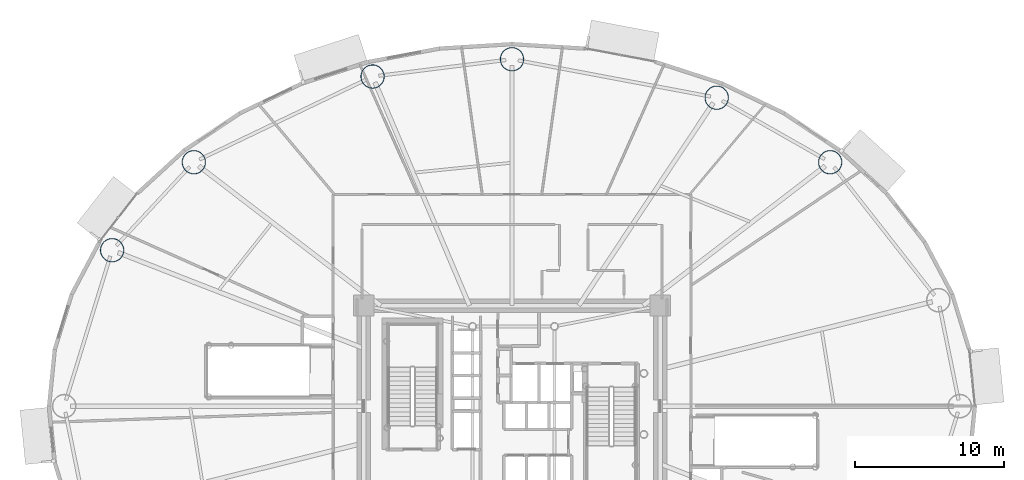
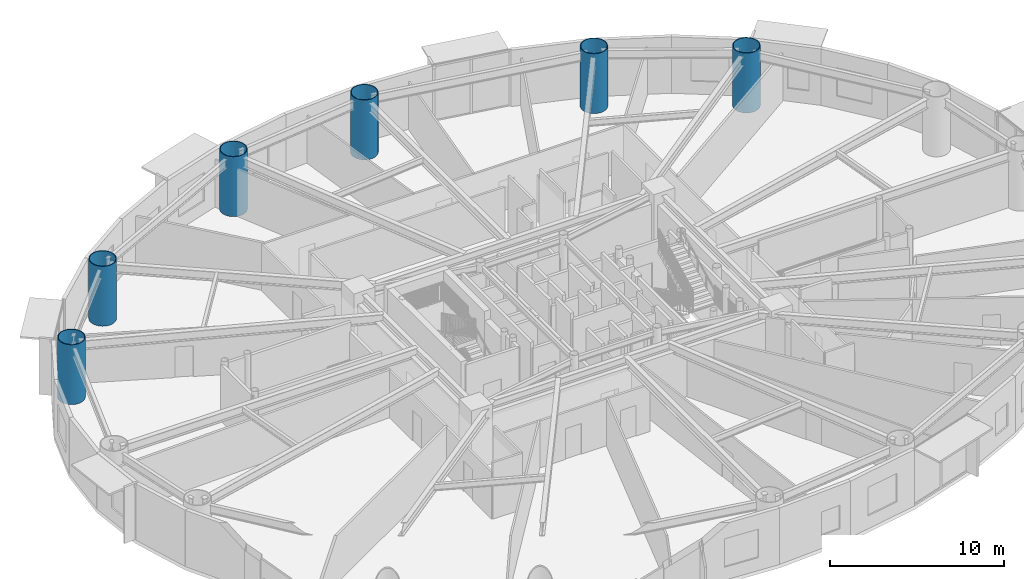
# One storey, part 3 of 28: 6 columns.
"""IFC4 building model written with IfcOpenShell, lengths in metres."""

from ifc_helpers import new_model, si_unit, direction, frame, origin, origin_2d, place, context, subcontext, project, spatial, hollow_circle, extrude, material, material_profile, profile_set, type_object, element, save


model = new_model("IFC4")

# Units and contexts
model_context = context("Model", 3, precision=1e-05, world=origin(), true_north=direction((0.0, 1.0)))
body_context = subcontext(model_context, "Body", "Model", "MODEL_VIEW")
ifc_project = project(units=[si_unit("LENGTHUNIT", "METRE"), si_unit("AREAUNIT", "SQUARE_METRE"), si_unit("VOLUMEUNIT", "CUBIC_METRE"), si_unit("PLANEANGLEUNIT", "RADIAN"), si_unit("MASSUNIT", "GRAM", prefix="KILO")], contexts=[model_context])

# Site, building, storey
site_placement = place(None, origin())
site = spatial("IfcSite", under=ifc_project, at=site_placement, CompositionType="ELEMENT")
building_placement = place(site_placement, origin())
building = spatial("IfcBuilding", under=site, at=building_placement, Name="Linh Dai School and Residence Tower", CompositionType="ELEMENT")
storey_placement = place(building_placement, frame((0.0, 0.0, 57.60009765625)))
storey = spatial("IfcBuildingStorey", under=building, at=storey_placement, Name="L13", CompositionType="ELEMENT", Elevation=57.60009765625)

# Columns
ifc_material = material(Name="Structural Steel S355JR", Category="steel")
ifc_material_profile = material_profile(ifc_material, hollow_circle(Radius=0.800048828125, WallThickness=0.044921875, at=origin_2d()), Name="CHS 1600x45")
ifc_profile_set = profile_set([ifc_material_profile], Name="Structural Steel S355JR")
column_type = type_object("IfcColumnType", Name="COL-MC2", PredefinedType="COLUMN", material=ifc_profile_set)
for number, where, z_axis, x_axis, name in (
    (1, (57.352783203125, 43.369140625, 0.0), (0.0, 0.0, 1.0), (1.0, 0.0, 0.0), "L13 Perimeter CFT Mega-Column MC03"),
    (2, (49.73828125, 47.69921875, 0.0), (0.0, 0.0, 1.0), (1.0, 0.0, 0.0), "L13 Perimeter CFT Mega-Column MC04"),
    (3, (36.0, 50.280029296875, 0.0), (0.0, 0.0, 1.0), (1.0, 0.0, 0.0), "L13 Perimeter CFT Mega-Column MC05"),
    (4, (26.642333984375, 49.119873046875, 0.0), (0.0, 0.0, 1.0), (1.0, 0.0, 0.0), "L13 Perimeter CFT Mega-Column MC06"),
    (5, (14.647216796875, 43.369140625, 0.0), (0.0, 0.0, 1.0), (1.0, 0.0, 0.0), "L13 Perimeter CFT Mega-Column MC07"),
    (6, (9.16455078125, 37.4638671875, 0.0), (0.0, 0.0, 1.0), (1.0, 0.0, 0.0), "L13 Perimeter CFT Mega-Column MC08"),
):
    element("IfcColumn", number, at=place(storey_placement, frame(where, z_axis=z_axis, x_axis=x_axis)), inside=storey, type_object=column_type, Name=name, PredefinedType="COLUMN", context=body_context, shape_type="SweptSolid", body=[
        extrude(hollow_circle(Radius=0.800048828125, WallThickness=0.044921875, at=origin_2d()), origin(), (0.0, 0.0, 1.0), 4.199951171875),
    ])

save(model, "model.ifc")
